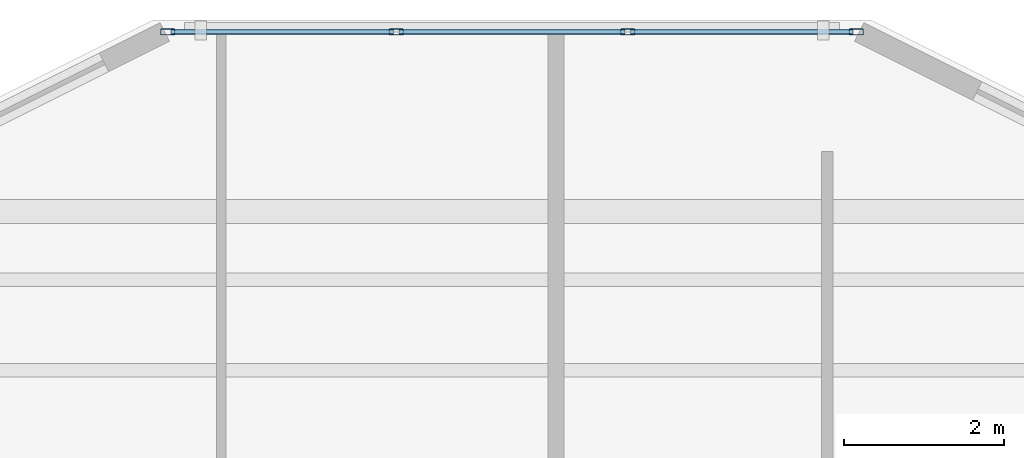
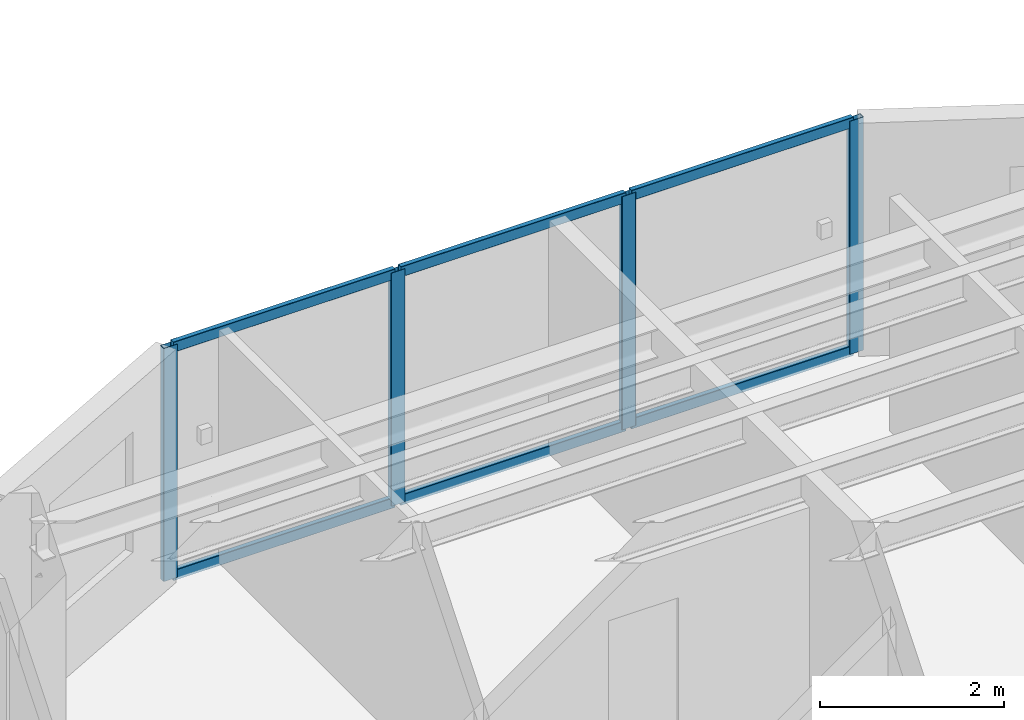
# One storey, part 4 of 13: 10 members, 1 element without a shape of its own.
"""IFC4 building model written with IfcOpenShell, lengths in metres."""

from ifc_helpers import new_model, si_unit, direction, frame, origin, origin_2d, place, context, subcontext, project, spatial, hollow_rectangle, extrude, material, layer, layer_set, material_profile, profile_set, type_object, element, aggregate, save


model = new_model("IFC4")

# Units and contexts
model_context = context("Model", 3, precision=1e-05, world=origin(), true_north=direction((0.0, 1.0)))
body_context = subcontext(model_context, "Body", "Model", "MODEL_VIEW")
ifc_project = project(units=[si_unit("LENGTHUNIT", "METRE"), si_unit("AREAUNIT", "SQUARE_METRE"), si_unit("VOLUMEUNIT", "CUBIC_METRE"), si_unit("PLANEANGLEUNIT", "RADIAN"), si_unit("MASSUNIT", "GRAM", prefix="KILO")], contexts=[model_context])

# Site, building, storey
site_placement = place(None, origin())
site = spatial("IfcSite", under=ifc_project, at=site_placement, CompositionType="ELEMENT")
building_placement = place(site_placement, origin())
building = spatial("IfcBuilding", under=site, at=building_placement, Name="Tarnavaz Court Tower", CompositionType="ELEMENT")
storey_placement = place(building_placement, frame((0.0, 0.0, 196.949951171875)))
storey = spatial("IfcBuildingStorey", under=building, at=storey_placement, Name="L53", CompositionType="ELEMENT", Elevation=196.949951171875)

# Curtain wall, members
ifc_material_1 = material(Name="Anodised Aluminium 6063-T6 and Solar Low-E Glazing", Category="aluminium")
ifc_layer = layer(ifc_material_1, 0.159912109375)
ifc_layer_set = layer_set([ifc_layer], Name="Anodised Aluminium 6063-T6 and Solar Low-E Glazing")
curtain_wall_type = type_object("IfcCurtainWallType", Name="CW-SYS-03", PredefinedType="NOTDEFINED", material=ifc_layer_set)
curtain_wall_placement = place(storey_placement, origin())
curtain_wall = element("IfcCurtainWall", 1, at=curtain_wall_placement, inside=storey, type_object=curtain_wall_type, Name="L53 Iwan Prow Curtain Wall 7", PredefinedType="NOTDEFINED")
ifc_material_2 = material(Name="Anodised Aluminium 6063-T6", Category="aluminium")
ifc_material_profile_1 = material_profile(ifc_material_2, hollow_rectangle(XDim=0.074951171875, YDim=0.179931640625, WallThickness=0.0048828125, InnerFilletRadius=0.0048828125, OuterFilletRadius=0.010009765625, at=origin_2d()), Name="ALU RHS 180X75X5")
ifc_profile_set_1 = profile_set([ifc_material_profile_1], Name="Anodised Aluminium 6063-T6")
member_type_1 = type_object("IfcMemberType", Name="CW-MUL-180", PredefinedType="MULLION", material=ifc_profile_set_1)
member_1_placement = place(storey_placement, frame((-4.3125, 22.35009765625, 0.0), z_axis=(0.0, 0.0, 1.0), x_axis=(0.0, 1.0, 0.0)))
member_1 = element("IfcMember", 2, at=member_1_placement, type_object=member_type_1, Name="CW mullion 1", PredefinedType="MULLION", context=body_context, shape_type="SweptSolid", body=[
    extrude(hollow_rectangle(XDim=0.074951171875, YDim=0.179931640625, WallThickness=0.0048828125, InnerFilletRadius=0.0048828125, OuterFilletRadius=0.010009765625, at=origin_2d()), origin(), (0.0, 0.0, 1.0), 3.10009765625),
])
member_2_placement = place(storey_placement, frame((-1.449951171875, 22.35009765625, 0.0), z_axis=(0.0, 0.0, 1.0), x_axis=(0.0, 1.0, 0.0)))
member_2 = element("IfcMember", 3, at=member_2_placement, type_object=member_type_1, Name="CW mullion 2", PredefinedType="MULLION", context=body_context, shape_type="SweptSolid", body=[
    extrude(hollow_rectangle(XDim=0.074951171875, YDim=0.179931640625, WallThickness=0.0048828125, InnerFilletRadius=0.0048828125, OuterFilletRadius=0.010009765625, at=origin_2d()), origin(), (0.0, 0.0, 1.0), 3.10009765625),
])
member_3_placement = place(storey_placement, frame((1.449951171875, 22.35009765625, 0.0), z_axis=(0.0, 0.0, 1.0), x_axis=(0.0, 1.0, 0.0)))
member_3 = element("IfcMember", 4, at=member_3_placement, type_object=member_type_1, Name="CW mullion 3", PredefinedType="MULLION", context=body_context, shape_type="SweptSolid", body=[
    extrude(hollow_rectangle(XDim=0.074951171875, YDim=0.179931640625, WallThickness=0.0048828125, InnerFilletRadius=0.0048828125, OuterFilletRadius=0.010009765625, at=origin_2d()), origin(), (0.0, 0.0, 1.0), 3.10009765625),
])
member_4_placement = place(storey_placement, frame((4.3125, 22.35009765625, 0.0), z_axis=(0.0, 0.0, 1.0), x_axis=(0.0, 1.0, 0.0)))
member_4 = element("IfcMember", 5, at=member_4_placement, type_object=member_type_1, Name="CW mullion 4", PredefinedType="MULLION", context=body_context, shape_type="SweptSolid", body=[
    extrude(hollow_rectangle(XDim=0.074951171875, YDim=0.179931640625, WallThickness=0.0048828125, InnerFilletRadius=0.0048828125, OuterFilletRadius=0.010009765625, at=origin_2d()), origin(), (0.0, 0.0, 1.0), 3.10009765625),
])
ifc_material_profile_2 = material_profile(ifc_material_2, hollow_rectangle(XDim=0.06494140625, YDim=0.139892578125, WallThickness=0.00390625, InnerFilletRadius=0.00390625, OuterFilletRadius=0.008056640625, at=origin_2d()), Name="ALU RHS 140X65X4")
ifc_profile_set_2 = profile_set([ifc_material_profile_2], Name="Anodised Aluminium 6063-T6")
member_type_2 = type_object("IfcMemberType", Name="CW-TRN-140", PredefinedType="USERDEFINED", material=ifc_profile_set_2)
member_5_placement = place(storey_placement, frame((-4.27490234375, 22.35009765625, 0.032470703125), z_axis=(1.0, 0.0, 0.0), x_axis=(0.0, 1.0, 0.0)))
member_5 = element("IfcMember", 6, at=member_5_placement, type_object=member_type_2, Name="CW transom 1.1", ObjectType="TRANSOM", PredefinedType="USERDEFINED", context=body_context, shape_type="SweptSolid", body=[
    extrude(hollow_rectangle(XDim=0.06494140625, YDim=0.139892578125, WallThickness=0.00390625, InnerFilletRadius=0.00390625, OuterFilletRadius=0.008056640625, at=origin_2d()), origin(), (0.0, 0.0, 1.0), 2.787353515625),
])
member_6_placement = place(storey_placement, frame((-4.27490234375, 22.35009765625, 3.067626953125), z_axis=(1.0, 0.0, 0.0), x_axis=(0.0, 1.0, 0.0)))
member_6 = element("IfcMember", 7, at=member_6_placement, type_object=member_type_2, Name="CW transom 1.2", ObjectType="TRANSOM", PredefinedType="USERDEFINED", context=body_context, shape_type="SweptSolid", body=[
    extrude(hollow_rectangle(XDim=0.06494140625, YDim=0.139892578125, WallThickness=0.00390625, InnerFilletRadius=0.00390625, OuterFilletRadius=0.008056640625, at=origin_2d()), origin(), (0.0, 0.0, 1.0), 2.787353515625),
])
member_7_placement = place(storey_placement, frame((-1.41259765625, 22.35009765625, 0.032470703125), z_axis=(1.0, 0.0, 0.0), x_axis=(0.0, 1.0, 0.0)))
member_7 = element("IfcMember", 8, at=member_7_placement, type_object=member_type_2, Name="CW transom 2.1", ObjectType="TRANSOM", PredefinedType="USERDEFINED", context=body_context, shape_type="SweptSolid", body=[
    extrude(hollow_rectangle(XDim=0.06494140625, YDim=0.139892578125, WallThickness=0.00390625, InnerFilletRadius=0.00390625, OuterFilletRadius=0.008056640625, at=origin_2d()), origin(), (0.0, 0.0, 1.0), 2.8251953125),
])
member_8_placement = place(storey_placement, frame((-1.41259765625, 22.35009765625, 3.067626953125), z_axis=(1.0, 0.0, 0.0), x_axis=(0.0, 1.0, 0.0)))
member_8 = element("IfcMember", 9, at=member_8_placement, type_object=member_type_2, Name="CW transom 2.2", ObjectType="TRANSOM", PredefinedType="USERDEFINED", context=body_context, shape_type="SweptSolid", body=[
    extrude(hollow_rectangle(XDim=0.06494140625, YDim=0.139892578125, WallThickness=0.00390625, InnerFilletRadius=0.00390625, OuterFilletRadius=0.008056640625, at=origin_2d()), origin(), (0.0, 0.0, 1.0), 2.8251953125),
])
member_9_placement = place(storey_placement, frame((1.487548828125, 22.35009765625, 0.032470703125), z_axis=(1.0, 0.0, 0.0), x_axis=(0.0, 1.0, 0.0)))
member_9 = element("IfcMember", 10, at=member_9_placement, type_object=member_type_2, Name="CW transom 3.1", ObjectType="TRANSOM", PredefinedType="USERDEFINED", context=body_context, shape_type="SweptSolid", body=[
    extrude(hollow_rectangle(XDim=0.06494140625, YDim=0.139892578125, WallThickness=0.00390625, InnerFilletRadius=0.00390625, OuterFilletRadius=0.008056640625, at=origin_2d()), origin(), (0.0, 0.0, 1.0), 2.787353515625),
])
member_10_placement = place(storey_placement, frame((1.487548828125, 22.35009765625, 3.067626953125), z_axis=(1.0, 0.0, 0.0), x_axis=(0.0, 1.0, 0.0)))
member_10 = element("IfcMember", 11, at=member_10_placement, type_object=member_type_2, Name="CW transom 3.2", ObjectType="TRANSOM", PredefinedType="USERDEFINED", context=body_context, shape_type="SweptSolid", body=[
    extrude(hollow_rectangle(XDim=0.06494140625, YDim=0.139892578125, WallThickness=0.00390625, InnerFilletRadius=0.00390625, OuterFilletRadius=0.008056640625, at=origin_2d()), origin(), (0.0, 0.0, 1.0), 2.787353515625),
])
aggregate(curtain_wall, [member_1, member_2, member_3, member_4, member_5, member_6, member_7, member_8, member_9, member_10])

save(model, "model.ifc")
